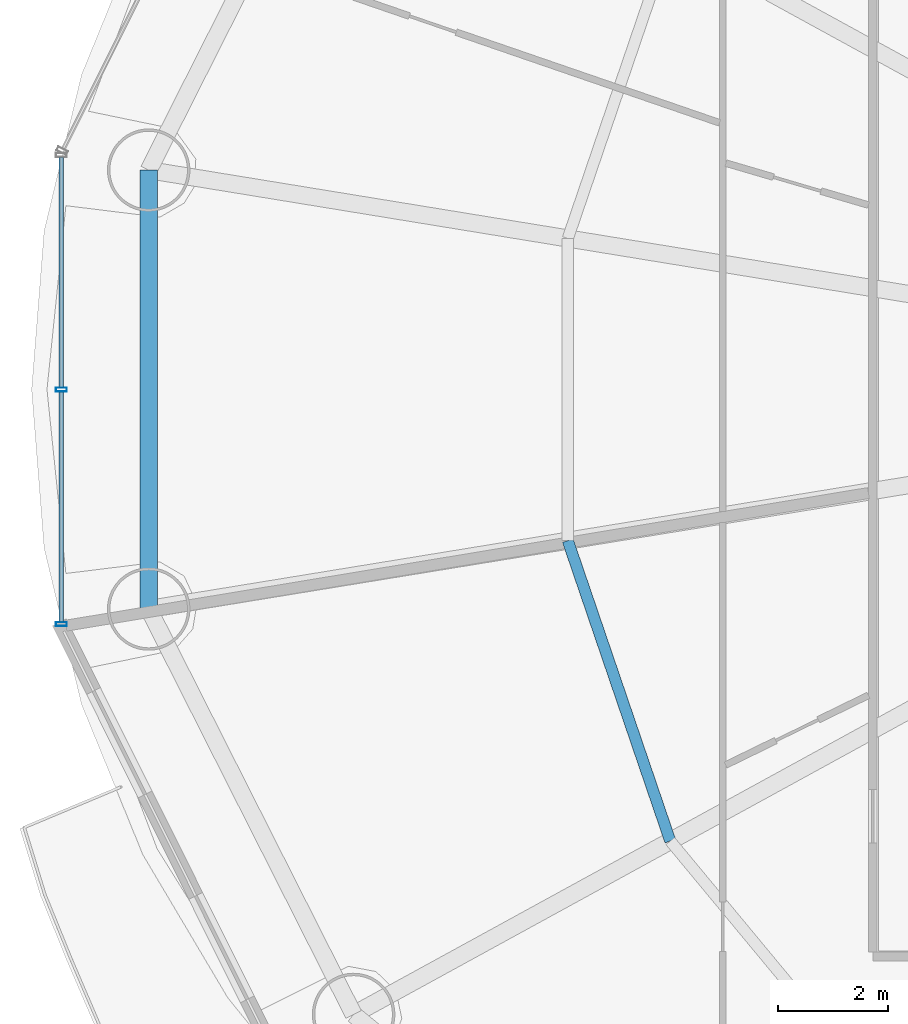
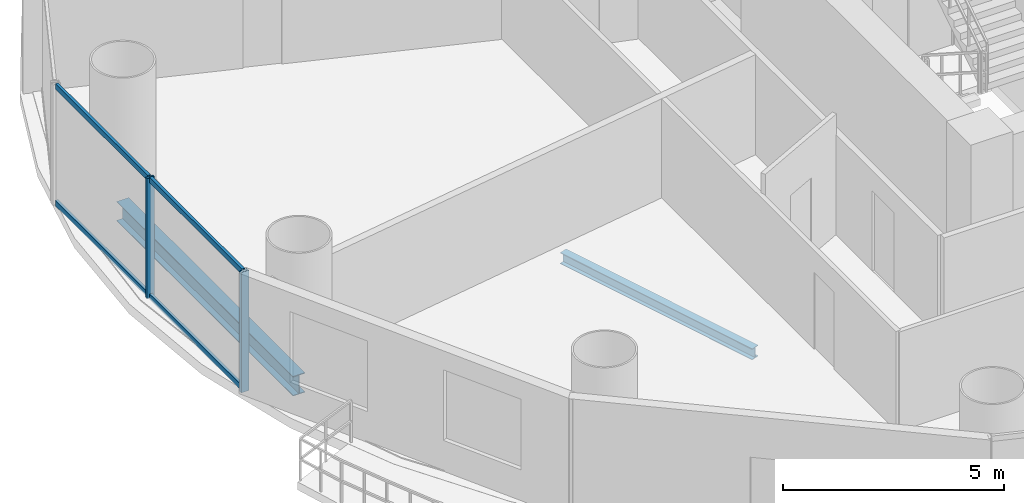
# One storey, part 7 of 29: 6 members, 2 beams, 1 element without a shape of its own.
"""IFC4 building model written with IfcOpenShell, lengths in metres."""

from ifc_helpers import new_model, si_unit, direction, frame, origin, origin_2d, place, context, subcontext, project, spatial, hollow_rectangle, i_section, extrude, source, transform, mapped, material, material_profile, profile_set, type_object, element, aggregate, save


model = new_model("IFC4")

# Units and contexts
model_context = context("Model", 3, precision=1e-05, world=origin(), true_north=direction((-0.2419218956, 0.970295726276)))
body_context = subcontext(model_context, "Body", "Model", "MODEL_VIEW")
ifc_project = project(units=[si_unit("LENGTHUNIT", "METRE"), si_unit("AREAUNIT", "SQUARE_METRE"), si_unit("VOLUMEUNIT", "CUBIC_METRE"), si_unit("PLANEANGLEUNIT", "RADIAN"), si_unit("MASSUNIT", "GRAM", prefix="KILO")], contexts=[model_context])

# Site, building, storey
site_placement = place(None, origin())
site = spatial("IfcSite", under=ifc_project, at=site_placement, CompositionType="ELEMENT")
building_placement = place(site_placement, origin())
building = spatial("IfcBuilding", under=site, at=building_placement, Name="Cobrevalo Terracotta Tower", CompositionType="ELEMENT")
storey_placement = place(building_placement, frame((0.0, 0.0, 79.800048828125)))
storey = spatial("IfcBuildingStorey", under=building, at=storey_placement, Name="L20", CompositionType="ELEMENT", Elevation=79.800048828125)

# Beams
ifc_material_1 = material(Name="Steel S355", Category="steel")
ifc_material_profile_1 = material_profile(ifc_material_1, i_section(OverallWidth=0.2041015625, OverallDepth=0.305908203125, WebThickness=0.008544921875, FlangeThickness=0.0146484375, at=origin_2d()), Name="W 310x67")
ifc_profile_set_1 = profile_set([ifc_material_profile_1], Name="Steel S355")
beam_type_1 = type_object("IfcBeamType", Name="Structural Joist W 310x67 (Steel S355)", PredefinedType="JOIST", material=ifc_profile_set_1)
beam_1_placement = place(storey_placement, frame((21.149658203125, 24.052734375, -0.427978515625), z_axis=(0.322846227919, -0.946451431991, 0.0), x_axis=(0.946451431991, 0.322846227919, 0.0)))
element("IfcBeam", 1, at=beam_1_placement, inside=storey, type_object=beam_type_1, Name="L20 circumferential secondary floor joist 09", PredefinedType="JOIST", context=body_context, shape_type="SweptSolid", body=[
    extrude(i_section(OverallWidth=0.2041015625, OverallDepth=0.305908203125, WebThickness=0.008544921875, FlangeThickness=0.0146484375, at=origin_2d()), origin(), (0.0, 0.0, 1.0), 5.77001953125),
])
ifc_material_profile_2 = material_profile(ifc_material_1, i_section(OverallWidth=0.31201171875, OverallDepth=0.54296875, WebThickness=0.0126953125, FlangeThickness=0.020263671875, at=origin_2d()), Name="W 530x150")
ifc_profile_set_2 = profile_set([ifc_material_profile_2], Name="Steel S355")
beam_type_2 = type_object("IfcBeamType", Name="Structural Spandrel W 530x150 (Steel S355)", PredefinedType="SPANDREL", material=ifc_profile_set_2)
beam_2_placement = place(storey_placement, frame((13.529296875, 30.78955078125, -0.546630859375), z_axis=(0.0, -1.0, 0.0), x_axis=(1.0, 0.0, 0.0)))
element("IfcBeam", 2, at=beam_2_placement, inside=storey, type_object=beam_type_2, Name="L20 perimeter ring spandrel 08", PredefinedType="SPANDREL", context=body_context, shape_type="SweptSolid", body=[
    extrude(i_section(OverallWidth=0.31201171875, OverallDepth=0.54296875, WebThickness=0.0126953125, FlangeThickness=0.020263671875, at=origin_2d()), origin(), (0.0, 0.0, 1.0), 7.979248046875),
])

# Curtain wall, members
ifc_material_2 = material(Name="Anodized aluminium", Category="aluminium")
curtain_wall_type = type_object("IfcCurtainWallType", Name="Lower-tower unitised acoustic low-E curtain wall CW-U1", PredefinedType="NOTDEFINED", material=ifc_material_2)
curtain_wall_placement = place(storey_placement, origin())
curtain_wall = element("IfcCurtainWall", 3, at=curtain_wall_placement, inside=storey, type_object=curtain_wall_type, Name="L20 curtain wall CW-L20-S08", PredefinedType="NOTDEFINED")
ifc_material_profile_3 = material_profile(ifc_material_2, hollow_rectangle(XDim=0.074951171875, YDim=0.14990234375, WallThickness=0.00439453125, at=origin_2d()), Name="CWT 75x150")
ifc_profile_set_3 = profile_set([ifc_material_profile_3], Name="Anodized aluminium")
member_type_1 = type_object("IfcMemberType", Name="Tower unitised aluminium transom 75x150", PredefinedType="USERDEFINED", material=ifc_profile_set_3)
shared_shape_1 = source(origin(), body_context, "Body", "SweptSolid", [
    extrude(hollow_rectangle(XDim=0.074951171875, YDim=0.14990234375, WallThickness=0.00439453125, at=origin_2d()), origin(), (0.0, 0.0, 1.0), 4.185546875),
])
member_1_placement = place(storey_placement, frame((11.9404296875, 31.025634765625, 0.050048828125), z_axis=(0.0, -1.0, 0.0), x_axis=(1.0, 0.0, 0.0)))
member_1 = element("IfcMember", 4, at=member_1_placement, type_object=member_type_1, Name="CW-L20-S08 transom B01-T1", ObjectType="TRANSOM", PredefinedType="USERDEFINED", context=body_context, shape_type="MappedRepresentation", body=[
    mapped(shared_shape_1, transform((0.0, 0.0, 0.0), scale=1.0)),
])
member_2_placement = place(storey_placement, frame((11.9404296875, 31.025634765625, 3.27490234375), z_axis=(0.0, -1.0, 0.0), x_axis=(1.0, 0.0, 0.0)))
member_2 = element("IfcMember", 5, at=member_2_placement, type_object=member_type_1, Name="CW-L20-S08 transom B01-T2", ObjectType="TRANSOM", PredefinedType="USERDEFINED", context=body_context, shape_type="MappedRepresentation", body=[
    mapped(shared_shape_1, transform((0.0, 0.0, 0.0), scale=1.0)),
])
member_3_placement = place(storey_placement, frame((11.9404296875, 26.760009765625, 0.050048828125), z_axis=(0.0, -1.0, 0.0), x_axis=(1.0, 0.0, 0.0)))
member_3 = element("IfcMember", 6, at=member_3_placement, type_object=member_type_1, Name="CW-L20-S08 transom B02-T1", ObjectType="TRANSOM", PredefinedType="USERDEFINED", context=body_context, shape_type="MappedRepresentation", body=[
    mapped(shared_shape_1, transform((0.0, 0.0, 0.0), scale=1.0)),
])
member_4_placement = place(storey_placement, frame((11.9404296875, 26.760009765625, 3.27490234375), z_axis=(0.0, -1.0, 0.0), x_axis=(1.0, 0.0, 0.0)))
member_4 = element("IfcMember", 7, at=member_4_placement, type_object=member_type_1, Name="CW-L20-S08 transom B02-T2", ObjectType="TRANSOM", PredefinedType="USERDEFINED", context=body_context, shape_type="MappedRepresentation", body=[
    mapped(shared_shape_1, transform((0.0, 0.0, 0.0), scale=1.0)),
])
ifc_material_profile_4 = material_profile(ifc_material_2, hollow_rectangle(XDim=0.074951171875, YDim=0.199951171875, WallThickness=0.0048828125, at=origin_2d()), Name="CWM 75x200")
ifc_profile_set_4 = profile_set([ifc_material_profile_4], Name="Anodized aluminium")
member_type_2 = type_object("IfcMemberType", Name="Lower/mid tower unitised mullion 75x200", PredefinedType="MULLION", material=ifc_profile_set_4)
shared_shape_2 = source(origin(), body_context, "Body", "SweptSolid", [
    extrude(hollow_rectangle(XDim=0.074951171875, YDim=0.199951171875, WallThickness=0.0048828125, at=origin_2d()), origin(), (0.0, 0.0, 1.0), 3.324951171875),
])
member_5_placement = place(storey_placement, frame((11.9404296875, 26.800048828125, 0.0), z_axis=(0.0, 0.0, 1.0), x_axis=(0.0, -1.0, 0.0)))
member_5 = element("IfcMember", 8, at=member_5_placement, type_object=member_type_2, Name="CW-L20-S08 vertical mullion 02", PredefinedType="MULLION", context=body_context, shape_type="MappedRepresentation", body=[
    mapped(shared_shape_2, transform((0.0, 0.0, 0.0), scale=1.0)),
])
member_6_placement = place(storey_placement, frame((11.9404296875, 22.534423828125, 0.0), z_axis=(0.0, 0.0, 1.0), x_axis=(0.0, -1.0, 0.0)))
member_6 = element("IfcMember", 9, at=member_6_placement, type_object=member_type_2, Name="CW-L20-S08 vertical mullion 03", PredefinedType="MULLION", context=body_context, shape_type="MappedRepresentation", body=[
    mapped(shared_shape_2, transform((0.0, 0.0, 0.0), scale=1.0)),
])
aggregate(curtain_wall, [member_5, member_6, member_1, member_2, member_3, member_4])

save(model, "model.ifc")
